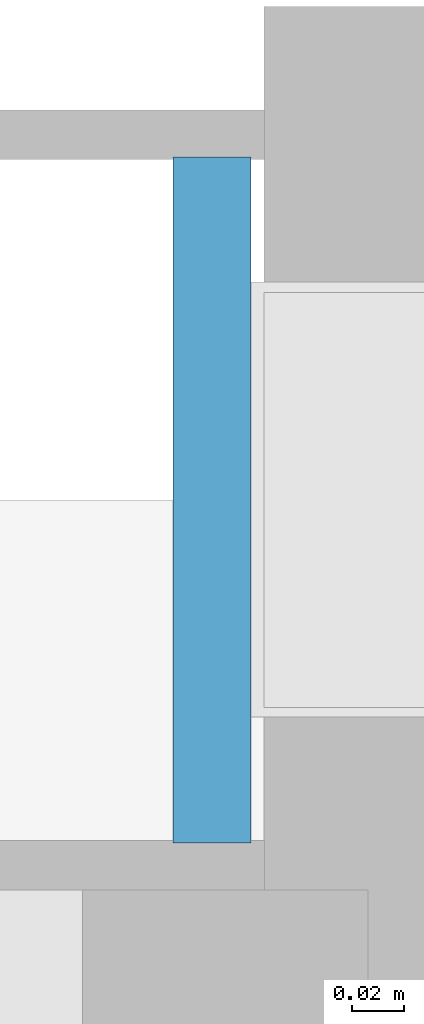
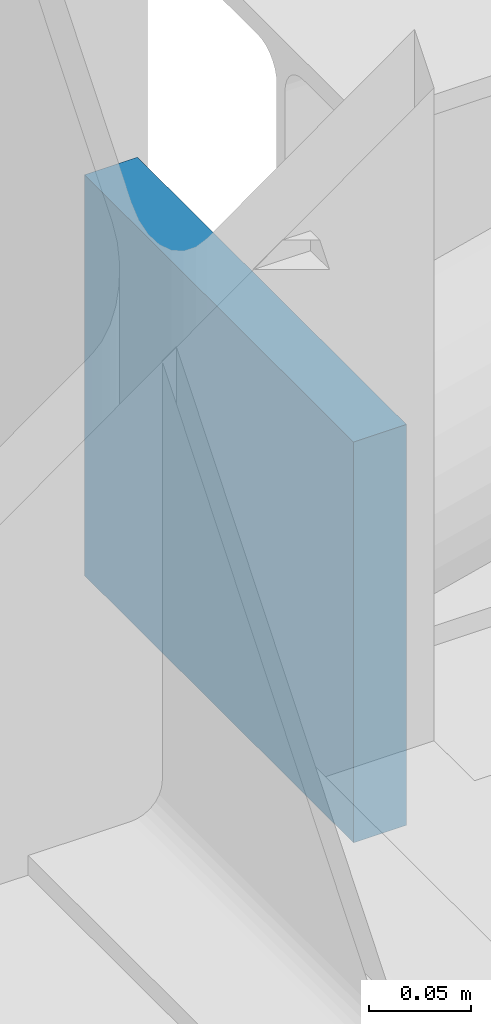
# One storey, part 18 of 23: 1 plate.
"""IFC4 building model written with IfcOpenShell, lengths in metres."""

from ifc_helpers import new_model, si_unit, direction, frame, origin, origin_2d, place, context, subcontext, project, spatial, rectangle, extrude, material, layer, layer_set, type_object, element, save


model = new_model("IFC4")

# Units and contexts
model_context = context("Model", 3, precision=1e-05, world=origin(), true_north=direction((0.0, 1.0)))
body_context = subcontext(model_context, "Body", "Model", "MODEL_VIEW")
ifc_project = project(units=[si_unit("LENGTHUNIT", "METRE"), si_unit("AREAUNIT", "SQUARE_METRE"), si_unit("VOLUMEUNIT", "CUBIC_METRE"), si_unit("PLANEANGLEUNIT", "RADIAN"), si_unit("MASSUNIT", "GRAM", prefix="KILO")], contexts=[model_context])

# Site, building, storey
site_placement = place(None, origin())
site = spatial("IfcSite", under=ifc_project, at=site_placement, CompositionType="ELEMENT")
building_placement = place(site_placement, origin())
building = spatial("IfcBuilding", under=site, at=building_placement, Name="Cendaluz Park School", CompositionType="ELEMENT")
storey_placement = place(building_placement, frame((0.0, 0.0, 67.199951171875)))
storey = spatial("IfcBuildingStorey", under=building, at=storey_placement, Name="L16", CompositionType="ELEMENT", Elevation=67.199951171875)

# Plate
ifc_material = material(Name="Steel S355", Category="steel")
ifc_layer = layer(ifc_material, 0.030029296875)
ifc_layer_set = layer_set([ifc_layer], Name="Steel S355")
plate_type = type_object("IfcPlateType", Name="GP-02", PredefinedType="SHEET", material=ifc_layer_set)
plate_placement = place(storey_placement, frame((64.929931640625, 57.60009765625, 4.10009765625), z_axis=(0.0, 0.0, 1.0), x_axis=(1.0, 0.0, 0.0)))
element("IfcPlate", 1, at=plate_placement, inside=storey, type_object=plate_type, Name="GP-L16-04W", PredefinedType="SHEET", context=body_context, shape_type="SweptSolid", body=[
    extrude(rectangle(XDim=0.030029296875, YDim=0.263916015625, at=origin_2d()), origin(), (0.0, 0.0, 1.0), 0.239990234375),
])

save(model, "model.ifc")
